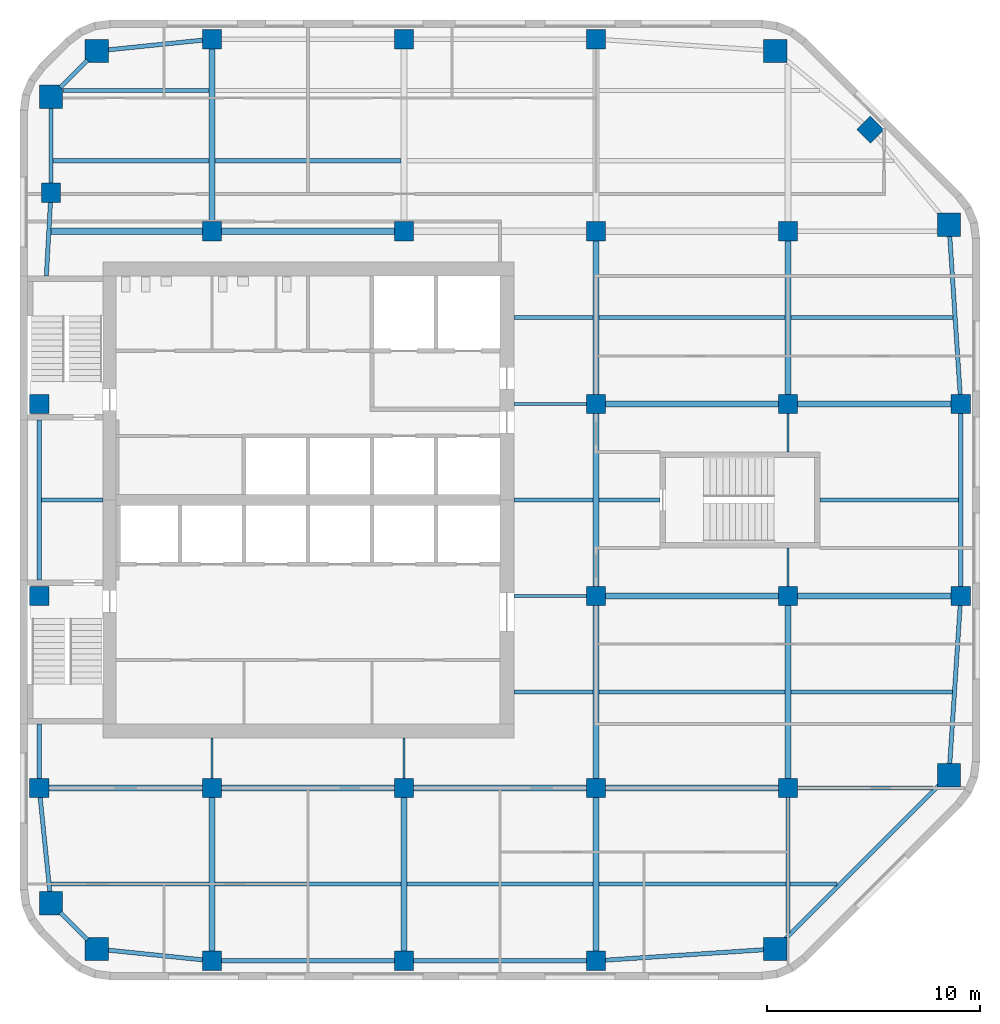
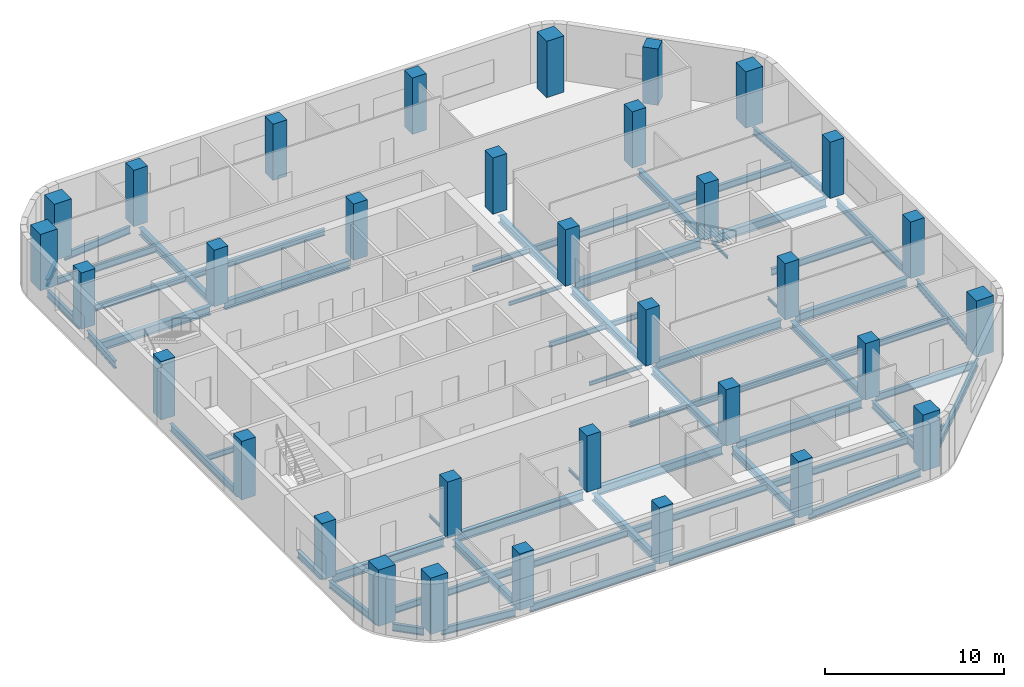
# One storey, part 1 of 8: 61 beams, 33 columns.
"""IFC4 building model written with IfcOpenShell, lengths in metres."""

from ifc_helpers import new_model, si_unit, direction, frame, origin, origin_2d, place, context, subcontext, project, spatial, rectangle, i_section, extrude, material, material_profile, profile_set, type_object, element, save


model = new_model("IFC4")

# Units and contexts
model_context = context("Model", 3, precision=1e-05, world=origin(), true_north=direction((0.0, 1.0)))
body_context = subcontext(model_context, "Body", "Model", "MODEL_VIEW")
ifc_project = project(units=[si_unit("LENGTHUNIT", "METRE"), si_unit("AREAUNIT", "SQUARE_METRE"), si_unit("VOLUMEUNIT", "CUBIC_METRE"), si_unit("PLANEANGLEUNIT", "RADIAN"), si_unit("MASSUNIT", "GRAM", prefix="KILO")], contexts=[model_context])

# Site, building, storey
site_placement = place(None, origin())
site = spatial("IfcSite", under=ifc_project, at=site_placement, CompositionType="ELEMENT")
building_placement = place(site_placement, origin())
building = spatial("IfcBuilding", under=site, at=building_placement, Name="Cinnabar Reach Civic Tower", CompositionType="ELEMENT")
storey_placement = place(building_placement, frame((0.0, 0.0, 157.0)))
storey = spatial("IfcBuildingStorey", under=building, at=storey_placement, Name="L37", CompositionType="ELEMENT", Elevation=157.0)

# Columns
ifc_material_1 = material(Name="Concrete C80", Category="concrete")
ifc_material_profile_1 = material_profile(ifc_material_1, rectangle(XDim=1.1, YDim=1.1, at=origin_2d()), Name="RC1100")
ifc_profile_set_1 = profile_set([ifc_material_profile_1], Name="Concrete C80")
column_type_1 = type_object("IfcColumnType", Name="RC1100 column R 240", PredefinedType="COLUMN", material=ifc_profile_set_1)
for number, where, z_axis, x_axis, name in (
    (1, (3.6019, 10.4531, 0.0), (0.0, 0.0, 1.0), (1.0, 0.0, 0.0), "Column T1-Z3-CC0"),
    (2, (35.3981, 10.4531, 0.0), (0.0, 0.0, 1.0), (1.0, 0.0, 0.0), "Column T1-Z3-CC1"),
    (3, (43.5469, 18.6019, 0.0), (0.0, 0.0, 1.0), (1.0, 0.0, 0.0), "Column T1-Z3-CC2"),
    (4, (43.5469, 44.3981, 0.0), (0.0, 0.0, 1.0), (1.0, 0.0, 0.0), "Column T1-Z3-CC3"),
    (5, (35.3981, 52.5469, 0.0), (0.0, 0.0, 1.0), (1.0, 0.0, 0.0), "Column T1-Z3-CC4"),
    (6, (3.6019, 52.5469, 0.0), (0.0, 0.0, 1.0), (1.0, 0.0, 0.0), "Column T1-Z3-CC5"),
    (7, (1.4531, 50.3981, 0.0), (0.0, 0.0, 1.0), (1.0, 0.0, 0.0), "Column T1-Z3-CC6"),
    (8, (1.4531, 12.6019, 0.0), (0.0, 0.0, 1.0), (1.0, 0.0, 0.0), "Column T1-Z3-CC7"),
):
    element("IfcColumn", number, at=place(storey_placement, frame(where, z_axis=z_axis, x_axis=x_axis)), inside=storey, type_object=column_type_1, Name=name, PredefinedType="COLUMN", context=body_context, shape_type="SweptSolid", body=[
        extrude(rectangle(XDim=1.1, YDim=1.1, at=origin_2d()), origin(), (0.0, 0.0, 1.0), 3.85),
    ])
ifc_material_2 = material(Name="Concrete C70", Category="concrete")
ifc_material_profile_2 = material_profile(ifc_material_2, rectangle(XDim=0.9, YDim=0.9, at=origin_2d()), Name="RC900")
ifc_profile_set_2 = profile_set([ifc_material_profile_2], Name="Concrete C70")
column_type_2 = type_object("IfcColumnType", Name="RC900 column R 240", PredefinedType="COLUMN", material=ifc_profile_set_2)
for number, where, z_axis, x_axis, name in (
    (9, (9.0, 9.9, 0.0), (0.0, 0.0, 1.0), (1.0, 0.0, 0.0), "Column T1-Z3-F0-1"),
    (10, (18.0, 9.9, 0.0), (0.0, 0.0, 1.0), (1.0, 0.0, 0.0), "Column T1-Z3-F0-2"),
    (11, (27.0, 9.9, 0.0), (0.0, 0.0, 1.0), (1.0, 0.0, 0.0), "Column T1-Z3-F0-3"),
    (12, (44.1, 27.0, 0.0), (0.0, 0.0, 1.0), (1.0, 0.0, 0.0), "Column T1-Z3-F2-3"),
    (13, (44.1, 36.0, 0.0), (0.0, 0.0, 1.0), (1.0, 0.0, 0.0), "Column T1-Z3-F2-4"),
    (14, (39.8636, 48.8636, 0.0), (0.0, 0.0, 1.0), (0.707106781187, 0.707106781187, 0.0), "Column T1-Z3-F3-M"),
    (15, (9.0, 53.1, 0.0), (0.0, 0.0, 1.0), (1.0, 0.0, 0.0), "Column T1-Z3-F4-1"),
    (16, (18.0, 53.1, 0.0), (0.0, 0.0, 1.0), (1.0, 0.0, 0.0), "Column T1-Z3-F4-2"),
    (17, (27.0, 53.1, 0.0), (0.0, 0.0, 1.0), (1.0, 0.0, 0.0), "Column T1-Z3-F4-3"),
    (18, (0.9, 18.0, 0.0), (0.0, 0.0, 1.0), (1.0, 0.0, 0.0), "Column T1-Z3-F6-2"),
):
    element("IfcColumn", number, at=place(storey_placement, frame(where, z_axis=z_axis, x_axis=x_axis)), inside=storey, type_object=column_type_2, Name=name, PredefinedType="COLUMN", context=body_context, shape_type="SweptSolid", body=[
        extrude(rectangle(XDim=0.9, YDim=0.9, at=origin_2d()), origin(), (0.0, 0.0, 1.0), 3.85),
    ])
for number, where, z_axis, x_axis, name in (
    (19, (0.9, 27.0, 0.0), (0.0, 0.0, 1.0), (1.0, 0.0, 0.0), "Column T1-Z3-F6-3"),
    (20, (0.9, 36.0, 0.0), (0.0, 0.0, 1.0), (1.0, 0.0, 0.0), "Column T1-Z3-F6-4"),
):
    element("IfcColumn", number, at=place(storey_placement, frame(where, z_axis=z_axis, x_axis=x_axis)), inside=storey, type_object=column_type_2, Name=name, PredefinedType="COLUMN", context=body_context, shape_type="SweptSolid", body=[
        extrude(rectangle(XDim=0.9, YDim=0.9, at=origin_2d()), origin(), (0.0, 0.0, 1.0), 4.0),
    ])
for number, where, z_axis, x_axis, name in (
    (21, (1.4531, 45.8981, 0.0), (0.0, 0.0, 1.0), (1.0, 0.0, 0.0), "Column T1-Z3-F6-5"),
    (22, (9.0, 18.0, 0.0), (0.0, 0.0, 1.0), (1.0, 0.0, 0.0), "Column T1-Z3-I9_18"),
    (23, (9.0, 44.1, 0.0), (0.0, 0.0, 1.0), (1.0, 0.0, 0.0), "Column T1-Z3-I9_45"),
    (24, (18.0, 18.0, 0.0), (0.0, 0.0, 1.0), (1.0, 0.0, 0.0), "Column T1-Z3-I18_18"),
    (25, (18.0, 44.1, 0.0), (0.0, 0.0, 1.0), (1.0, 0.0, 0.0), "Column T1-Z3-I18_45"),
    (26, (27.0, 18.0, 0.0), (0.0, 0.0, 1.0), (1.0, 0.0, 0.0), "Column T1-Z3-I27_18"),
    (27, (27.0, 27.0, 0.0), (0.0, 0.0, 1.0), (1.0, 0.0, 0.0), "Column T1-Z3-I27_27"),
    (28, (27.0, 36.0, 0.0), (0.0, 0.0, 1.0), (1.0, 0.0, 0.0), "Column T1-Z3-I27_36"),
    (29, (27.0, 44.1, 0.0), (0.0, 0.0, 1.0), (1.0, 0.0, 0.0), "Column T1-Z3-I27_45"),
    (30, (36.0, 18.0, 0.0), (0.0, 0.0, 1.0), (1.0, 0.0, 0.0), "Column T1-Z3-I36_18"),
    (31, (36.0, 27.0, 0.0), (0.0, 0.0, 1.0), (1.0, 0.0, 0.0), "Column T1-Z3-I36_27"),
    (32, (36.0, 36.0, 0.0), (0.0, 0.0, 1.0), (1.0, 0.0, 0.0), "Column T1-Z3-I36_36"),
    (33, (36.0, 44.1, 0.0), (0.0, 0.0, 1.0), (1.0, 0.0, 0.0), "Column T1-Z3-I36_45"),
):
    element("IfcColumn", number, at=place(storey_placement, frame(where, z_axis=z_axis, x_axis=x_axis)), inside=storey, type_object=column_type_2, Name=name, PredefinedType="COLUMN", context=body_context, shape_type="SweptSolid", body=[
        extrude(rectangle(XDim=0.9, YDim=0.9, at=origin_2d()), origin(), (0.0, 0.0, 1.0), 3.85),
    ])

# Beams
ifc_material_3 = material(Name="Steel Q355B", Category="steel")
ifc_material_profile_3 = material_profile(ifc_material_3, i_section(OverallWidth=0.3, OverallDepth=0.488, WebThickness=0.011, FlangeThickness=0.018, FilletRadius=0.016, at=origin_2d()), Name="HM488x300x11x18")
ifc_profile_set_3 = profile_set([ifc_material_profile_3], Name="Steel Q355B")
beam_type_1 = type_object("IfcBeamType", Name="HM488x300x11x18 beam R 180", PredefinedType="BEAM", material=ifc_profile_set_3)
beam_1_placement = place(storey_placement, frame((9.0, 10.352, -0.394), z_axis=(0.0, 1.0, 0.0), x_axis=(-1.0, 0.0, 0.0)))
element("IfcBeam", 34, at=beam_1_placement, inside=storey, type_object=beam_type_1, Name="Girder T1 L37 1", PredefinedType="BEAM", context=body_context, shape_type="SweptSolid", body=[
    extrude(i_section(OverallWidth=0.3, OverallDepth=0.488, WebThickness=0.011, FlangeThickness=0.018, FilletRadius=0.016, at=origin_2d()), origin(), (0.0, 0.0, 1.0), 7.196),
])
beam_2_placement = place(storey_placement, frame((9.0, 44.552, -0.394), z_axis=(0.0, 1.0, 0.0), x_axis=(-1.0, 0.0, 0.0)))
element("IfcBeam", 35, at=beam_2_placement, inside=storey, type_object=beam_type_1, Name="Girder T1 L37 3", PredefinedType="BEAM", context=body_context, shape_type="SweptSolid", body=[
    extrude(i_section(OverallWidth=0.3, OverallDepth=0.488, WebThickness=0.011, FlangeThickness=0.018, FilletRadius=0.016, at=origin_2d()), origin(), (0.0, 0.0, 1.0), 8.096),
])
for number, where, z_axis, x_axis, name in (
    (36, (18.0, 10.352, -0.394), (0.0, 1.0, 0.0), (-1.0, 0.0, 0.0), "Girder T1 L37 4"),
    (37, (27.0, 10.352, -0.394), (0.0, 1.0, 0.0), (-1.0, 0.0, 0.0), "Girder T1 L37 7"),
):
    element("IfcBeam", number, at=place(storey_placement, frame(where, z_axis=z_axis, x_axis=x_axis)), inside=storey, type_object=beam_type_1, Name=name, PredefinedType="BEAM", context=body_context, shape_type="SweptSolid", body=[
        extrude(i_section(OverallWidth=0.3, OverallDepth=0.488, WebThickness=0.011, FlangeThickness=0.018, FilletRadius=0.016, at=origin_2d()), origin(), (0.0, 0.0, 1.0), 7.196),
    ])
for number, where, z_axis, x_axis, name in (
    (38, (27.0, 18.452, -0.394), (0.0, 1.0, 0.0), (-1.0, 0.0, 0.0), "Girder T1 L37 8"),
    (39, (27.0, 27.452, -0.394), (0.0, 1.0, 0.0), (-1.0, 0.0, 0.0), "Girder T1 L37 9"),
):
    element("IfcBeam", number, at=place(storey_placement, frame(where, z_axis=z_axis, x_axis=x_axis)), inside=storey, type_object=beam_type_1, Name=name, PredefinedType="BEAM", context=body_context, shape_type="SweptSolid", body=[
        extrude(i_section(OverallWidth=0.3, OverallDepth=0.488, WebThickness=0.011, FlangeThickness=0.018, FilletRadius=0.016, at=origin_2d()), origin(), (0.0, 0.0, 1.0), 8.096),
    ])
beam_3_placement = place(storey_placement, frame((27.0, 36.452, -0.394), z_axis=(0.0, 1.0, 0.0), x_axis=(-1.0, 0.0, 0.0)))
element("IfcBeam", 40, at=beam_3_placement, inside=storey, type_object=beam_type_1, Name="Girder T1 L37 10", PredefinedType="BEAM", context=body_context, shape_type="SweptSolid", body=[
    extrude(i_section(OverallWidth=0.3, OverallDepth=0.488, WebThickness=0.011, FlangeThickness=0.018, FilletRadius=0.016, at=origin_2d()), origin(), (0.0, 0.0, 1.0), 7.196),
])
beam_4_placement = place(storey_placement, frame((36.0, 18.452, -0.394), z_axis=(0.0, 1.0, 0.0), x_axis=(-1.0, 0.0, 0.0)))
element("IfcBeam", 41, at=beam_4_placement, inside=storey, type_object=beam_type_1, Name="Girder T1 L37 13", PredefinedType="BEAM", context=body_context, shape_type="SweptSolid", body=[
    extrude(i_section(OverallWidth=0.3, OverallDepth=0.488, WebThickness=0.011, FlangeThickness=0.018, FilletRadius=0.016, at=origin_2d()), origin(), (0.0, 0.0, 1.0), 8.096),
])
beam_5_placement = place(storey_placement, frame((36.0, 36.452, -0.394), z_axis=(0.0, 1.0, 0.0), x_axis=(-1.0, 0.0, 0.0)))
element("IfcBeam", 42, at=beam_5_placement, inside=storey, type_object=beam_type_1, Name="Girder T1 L37 16", PredefinedType="BEAM", context=body_context, shape_type="SweptSolid", body=[
    extrude(i_section(OverallWidth=0.3, OverallDepth=0.488, WebThickness=0.011, FlangeThickness=0.018, FilletRadius=0.016, at=origin_2d()), origin(), (0.0, 0.0, 1.0), 7.196),
])
ifc_material_profile_4 = material_profile(ifc_material_3, i_section(OverallWidth=0.3, OverallDepth=0.588, WebThickness=0.012, FlangeThickness=0.02, FilletRadius=0.016, at=origin_2d()), Name="HM588x300x12x20")
ifc_profile_set_4 = profile_set([ifc_material_profile_4], Name="Steel Q355B")
beam_type_2 = type_object("IfcBeamType", Name="HM588x300x12x20 beam R 180", PredefinedType="BEAM", material=ifc_profile_set_4)
beam_6_placement = place(storey_placement, frame((1.352, 18.0, -0.444), z_axis=(1.0, 0.0, 0.0), x_axis=(0.0, 1.0, 0.0)))
element("IfcBeam", 43, at=beam_6_placement, inside=storey, type_object=beam_type_2, Name="Girder T1 L37 1", PredefinedType="BEAM", context=body_context, shape_type="SweptSolid", body=[
    extrude(i_section(OverallWidth=0.3, OverallDepth=0.588, WebThickness=0.012, FlangeThickness=0.02, FilletRadius=0.016, at=origin_2d()), origin(), (0.0, 0.0, 1.0), 7.196),
])
for number, where, z_axis, x_axis, name in (
    (44, (9.452, 18.0, -0.444), (1.0, 0.0, 0.0), (0.0, 1.0, 0.0), "Girder T1 L37 2"),
    (45, (18.452, 18.0, -0.444), (1.0, 0.0, 0.0), (0.0, 1.0, 0.0), "Girder T1 L37 3"),
    (46, (27.452, 18.0, -0.444), (1.0, 0.0, 0.0), (0.0, 1.0, 0.0), "Girder T1 L37 4"),
    (47, (27.452, 27.0, -0.444), (1.0, 0.0, 0.0), (0.0, 1.0, 0.0), "Girder T1 L37 7"),
):
    element("IfcBeam", number, at=place(storey_placement, frame(where, z_axis=z_axis, x_axis=x_axis)), inside=storey, type_object=beam_type_2, Name=name, PredefinedType="BEAM", context=body_context, shape_type="SweptSolid", body=[
        extrude(i_section(OverallWidth=0.3, OverallDepth=0.588, WebThickness=0.012, FlangeThickness=0.02, FilletRadius=0.016, at=origin_2d()), origin(), (0.0, 0.0, 1.0), 8.096),
    ])
beam_7_placement = place(storey_placement, frame((36.452, 27.0, -0.444), z_axis=(1.0, 0.0, 0.0), x_axis=(0.0, 1.0, 0.0)))
element("IfcBeam", 48, at=beam_7_placement, inside=storey, type_object=beam_type_2, Name="Girder T1 L37 8", PredefinedType="BEAM", context=body_context, shape_type="SweptSolid", body=[
    extrude(i_section(OverallWidth=0.3, OverallDepth=0.588, WebThickness=0.012, FlangeThickness=0.02, FilletRadius=0.016, at=origin_2d()), origin(), (0.0, 0.0, 1.0), 7.196),
])
beam_8_placement = place(storey_placement, frame((27.452, 36.0, -0.444), z_axis=(1.0, 0.0, 0.0), x_axis=(0.0, 1.0, 0.0)))
element("IfcBeam", 49, at=beam_8_placement, inside=storey, type_object=beam_type_2, Name="Girder T1 L37 10", PredefinedType="BEAM", context=body_context, shape_type="SweptSolid", body=[
    extrude(i_section(OverallWidth=0.3, OverallDepth=0.588, WebThickness=0.012, FlangeThickness=0.02, FilletRadius=0.016, at=origin_2d()), origin(), (0.0, 0.0, 1.0), 8.096),
])
beam_9_placement = place(storey_placement, frame((36.452, 36.0, -0.444), z_axis=(1.0, 0.0, 0.0), x_axis=(0.0, 1.0, 0.0)))
element("IfcBeam", 50, at=beam_9_placement, inside=storey, type_object=beam_type_2, Name="Girder T1 L37 11", PredefinedType="BEAM", context=body_context, shape_type="SweptSolid", body=[
    extrude(i_section(OverallWidth=0.3, OverallDepth=0.588, WebThickness=0.012, FlangeThickness=0.02, FilletRadius=0.016, at=origin_2d()), origin(), (0.0, 0.0, 1.0), 7.196),
])
beam_10_placement = place(storey_placement, frame((1.4548, 44.1, -0.444), z_axis=(1.0, 0.0, 0.0), x_axis=(0.0, 1.0, 0.0)))
element("IfcBeam", 51, at=beam_10_placement, inside=storey, type_object=beam_type_2, Name="Girder T1 L37 12", PredefinedType="BEAM", context=body_context, shape_type="SweptSolid", body=[
    extrude(i_section(OverallWidth=0.3, OverallDepth=0.588, WebThickness=0.012, FlangeThickness=0.02, FilletRadius=0.016, at=origin_2d()), origin(), (0.0, 0.0, 1.0), 7.0932),
])
beam_11_placement = place(storey_placement, frame((9.452, 44.1, -0.444), z_axis=(1.0, 0.0, 0.0), x_axis=(0.0, 1.0, 0.0)))
element("IfcBeam", 52, at=beam_11_placement, inside=storey, type_object=beam_type_2, Name="Girder T1 L37 13", PredefinedType="BEAM", context=body_context, shape_type="SweptSolid", body=[
    extrude(i_section(OverallWidth=0.3, OverallDepth=0.588, WebThickness=0.012, FlangeThickness=0.02, FilletRadius=0.016, at=origin_2d()), origin(), (0.0, 0.0, 1.0), 8.096),
])
ifc_material_profile_5 = material_profile(ifc_material_3, i_section(OverallWidth=0.099, OverallDepth=0.198, WebThickness=0.0045, FlangeThickness=0.007, FilletRadius=0.013, at=origin_2d()), Name="HN200x100x5.5x8")
ifc_profile_set_5 = profile_set([ifc_material_profile_5], Name="Steel Q355B")
beam_type_3 = type_object("IfcBeamType", Name="HN200x100x5.5x8 beam R 180", PredefinedType="BEAM", material=ifc_profile_set_5)
for number, where, z_axis, x_axis, name in (
    (53, (9.0, 18.452, -0.249), (0.0, 1.0, 0.0), (-1.0, 0.0, 0.0), "Girder T1 L37 2"),
    (54, (18.0, 18.452, -0.249), (0.0, 1.0, 0.0), (-1.0, 0.0, 0.0), "Girder T1 L37 5"),
):
    element("IfcBeam", number, at=place(storey_placement, frame(where, z_axis=z_axis, x_axis=x_axis)), inside=storey, type_object=beam_type_3, Name=name, PredefinedType="BEAM", context=body_context, shape_type="SweptSolid", body=[
        extrude(i_section(OverallWidth=0.099, OverallDepth=0.198, WebThickness=0.0045, FlangeThickness=0.007, FilletRadius=0.013, at=origin_2d()), origin(), (0.0, 0.0, 1.0), 1.896),
    ])
for number, where, z_axis, x_axis, name in (
    (55, (36.0, 27.452, -0.249), (0.0, 1.0, 0.0), (-1.0, 0.0, 0.0), "Girder T1 L37 14"),
    (56, (36.0, 33.752, -0.249), (0.0, 1.0, 0.0), (-1.0, 0.0, 0.0), "Girder T1 L37 15"),
):
    element("IfcBeam", number, at=place(storey_placement, frame(where, z_axis=z_axis, x_axis=x_axis)), inside=storey, type_object=beam_type_3, Name=name, PredefinedType="BEAM", context=body_context, shape_type="SweptSolid", body=[
        extrude(i_section(OverallWidth=0.099, OverallDepth=0.198, WebThickness=0.0045, FlangeThickness=0.007, FilletRadius=0.013, at=origin_2d()), origin(), (0.0, 0.0, 1.0), 1.796),
    ])
ifc_material_profile_6 = material_profile(ifc_material_3, i_section(OverallWidth=0.124, OverallDepth=0.248, WebThickness=0.005, FlangeThickness=0.008, FilletRadius=0.013, at=origin_2d()), Name="HN250x125x6x9")
ifc_profile_set_6 = profile_set([ifc_material_profile_6], Name="Steel Q355B")
beam_type_4 = type_object("IfcBeamType", Name="HN250x125x6x9 beam R 180", PredefinedType="BEAM", material=ifc_profile_set_6)
for number, where, z_axis, x_axis, name in (
    (57, (23.152, 27.0, -0.274), (1.0, 0.0, 0.0), (0.0, 1.0, 0.0), "Girder T1 L37 6"),
    (58, (23.152, 36.0, -0.274), (1.0, 0.0, 0.0), (0.0, 1.0, 0.0), "Girder T1 L37 9"),
):
    element("IfcBeam", number, at=place(storey_placement, frame(where, z_axis=z_axis, x_axis=x_axis)), inside=storey, type_object=beam_type_4, Name=name, PredefinedType="BEAM", context=body_context, shape_type="SweptSolid", body=[
        extrude(i_section(OverallWidth=0.124, OverallDepth=0.248, WebThickness=0.005, FlangeThickness=0.008, FilletRadius=0.013, at=origin_2d()), origin(), (0.0, 0.0, 1.0), 3.396),
    ])
ifc_material_profile_7 = material_profile(ifc_material_3, i_section(OverallWidth=0.175, OverallDepth=0.35, WebThickness=0.007, FlangeThickness=0.011, FilletRadius=0.013, at=origin_2d()), Name="HN350x175x7x11")
ifc_profile_set_7 = profile_set([ifc_material_profile_7], Name="Steel Q355B")
beam_type_5 = type_object("IfcBeamType", Name="HN350x175x7x11 beam R 180", PredefinedType="BEAM", material=ifc_profile_set_7)
beam_12_placement = place(storey_placement, frame((36.102, 13.5, -0.325), z_axis=(1.0, 0.0, 0.0), x_axis=(0.0, 1.0, 0.0)))
element("IfcBeam", 59, at=beam_12_placement, inside=storey, type_object=beam_type_5, Name="Secondary beam T1 L37 5", PredefinedType="BEAM", context=body_context, shape_type="SweptSolid", body=[
    extrude(i_section(OverallWidth=0.175, OverallDepth=0.35, WebThickness=0.007, FlangeThickness=0.011, FilletRadius=0.013, at=origin_2d()), origin(), (0.0, 0.0, 1.0), 2.1988),
])
beam_13_placement = place(storey_placement, frame((23.152, 22.5, -0.325), z_axis=(1.0, 0.0, 0.0), x_axis=(0.0, 1.0, 0.0)))
element("IfcBeam", 60, at=beam_13_placement, inside=storey, type_object=beam_type_5, Name="Secondary beam T1 L37 6", PredefinedType="BEAM", context=body_context, shape_type="SweptSolid", body=[
    extrude(i_section(OverallWidth=0.175, OverallDepth=0.35, WebThickness=0.007, FlangeThickness=0.011, FilletRadius=0.013, at=origin_2d()), origin(), (0.0, 0.0, 1.0), 3.696),
])
beam_14_placement = place(storey_placement, frame((1.002, 31.5, -0.325), z_axis=(1.0, 0.0, 0.0), x_axis=(0.0, 1.0, 0.0)))
element("IfcBeam", 61, at=beam_14_placement, inside=storey, type_object=beam_type_5, Name="Secondary beam T1 L37 9", PredefinedType="BEAM", context=body_context, shape_type="SweptSolid", body=[
    extrude(i_section(OverallWidth=0.175, OverallDepth=0.35, WebThickness=0.007, FlangeThickness=0.011, FilletRadius=0.013, at=origin_2d()), origin(), (0.0, 0.0, 1.0), 2.896),
])
beam_15_placement = place(storey_placement, frame((23.152, 31.5, -0.325), z_axis=(1.0, 0.0, 0.0), x_axis=(0.0, 1.0, 0.0)))
element("IfcBeam", 62, at=beam_15_placement, inside=storey, type_object=beam_type_5, Name="Secondary beam T1 L37 10", PredefinedType="BEAM", context=body_context, shape_type="SweptSolid", body=[
    extrude(i_section(OverallWidth=0.175, OverallDepth=0.35, WebThickness=0.007, FlangeThickness=0.011, FilletRadius=0.013, at=origin_2d()), origin(), (0.0, 0.0, 1.0), 3.696),
])
beam_16_placement = place(storey_placement, frame((27.152, 31.5, -0.325), z_axis=(1.0, 0.0, 0.0), x_axis=(0.0, 1.0, 0.0)))
element("IfcBeam", 63, at=beam_16_placement, inside=storey, type_object=beam_type_5, Name="Secondary beam T1 L37 11", PredefinedType="BEAM", context=body_context, shape_type="SweptSolid", body=[
    extrude(i_section(OverallWidth=0.175, OverallDepth=0.35, WebThickness=0.007, FlangeThickness=0.011, FilletRadius=0.013, at=origin_2d()), origin(), (0.0, 0.0, 1.0), 2.846),
])
beam_17_placement = place(storey_placement, frame((23.152, 40.05, -0.325), z_axis=(1.0, 0.0, 0.0), x_axis=(0.0, 1.0, 0.0)))
element("IfcBeam", 64, at=beam_17_placement, inside=storey, type_object=beam_type_5, Name="Secondary beam T1 L37 13", PredefinedType="BEAM", context=body_context, shape_type="SweptSolid", body=[
    extrude(i_section(OverallWidth=0.175, OverallDepth=0.35, WebThickness=0.007, FlangeThickness=0.011, FilletRadius=0.013, at=origin_2d()), origin(), (0.0, 0.0, 1.0), 3.696),
])
ifc_material_profile_8 = material_profile(ifc_material_3, i_section(OverallWidth=0.2, OverallDepth=0.45, WebThickness=0.009, FlangeThickness=0.014, FilletRadius=0.016, at=origin_2d()), Name="HN450x200x9x14")
ifc_profile_set_8 = profile_set([ifc_material_profile_8], Name="Steel Q355B")
beam_type_6 = type_object("IfcBeamType", Name="HN450x200x9x14 beam R 180", PredefinedType="BEAM", material=ifc_profile_set_8)
beam_18_placement = place(storey_placement, frame((1.4636, 13.5, -0.375), z_axis=(1.0, 0.0, 0.0), x_axis=(0.0, 1.0, 0.0)))
element("IfcBeam", 65, at=beam_18_placement, inside=storey, type_object=beam_type_6, Name="Secondary beam T1 L37 1", PredefinedType="BEAM", context=body_context, shape_type="SweptSolid", body=[
    extrude(i_section(OverallWidth=0.2, OverallDepth=0.45, WebThickness=0.009, FlangeThickness=0.014, FilletRadius=0.016, at=origin_2d()), origin(), (0.0, 0.0, 1.0), 7.3844),
])
for number, where, z_axis, x_axis, name in (
    (66, (9.152, 13.5, -0.375), (1.0, 0.0, 0.0), (0.0, 1.0, 0.0), "Secondary beam T1 L37 2"),
    (67, (18.152, 13.5, -0.375), (1.0, 0.0, 0.0), (0.0, 1.0, 0.0), "Secondary beam T1 L37 3"),
):
    element("IfcBeam", number, at=place(storey_placement, frame(where, z_axis=z_axis, x_axis=x_axis)), inside=storey, type_object=beam_type_6, Name=name, PredefinedType="BEAM", context=body_context, shape_type="SweptSolid", body=[
        extrude(i_section(OverallWidth=0.2, OverallDepth=0.45, WebThickness=0.009, FlangeThickness=0.014, FilletRadius=0.016, at=origin_2d()), origin(), (0.0, 0.0, 1.0), 8.696),
    ])
beam_19_placement = place(storey_placement, frame((27.152, 13.5, -0.375), z_axis=(1.0, 0.0, 0.0), x_axis=(0.0, 1.0, 0.0)))
element("IfcBeam", 68, at=beam_19_placement, inside=storey, type_object=beam_type_6, Name="Secondary beam T1 L37 4", PredefinedType="BEAM", context=body_context, shape_type="SweptSolid", body=[
    extrude(i_section(OverallWidth=0.2, OverallDepth=0.45, WebThickness=0.009, FlangeThickness=0.014, FilletRadius=0.016, at=origin_2d()), origin(), (0.0, 0.0, 1.0), 8.746),
])
beam_20_placement = place(storey_placement, frame((27.152, 22.5, -0.375), z_axis=(1.0, 0.0, 0.0), x_axis=(0.0, 1.0, 0.0)))
element("IfcBeam", 69, at=beam_20_placement, inside=storey, type_object=beam_type_6, Name="Secondary beam T1 L37 7", PredefinedType="BEAM", context=body_context, shape_type="SweptSolid", body=[
    extrude(i_section(OverallWidth=0.2, OverallDepth=0.45, WebThickness=0.009, FlangeThickness=0.014, FilletRadius=0.016, at=origin_2d()), origin(), (0.0, 0.0, 1.0), 8.696),
])
beam_21_placement = place(storey_placement, frame((36.152, 22.5, -0.375), z_axis=(1.0, 0.0, 0.0), x_axis=(0.0, 1.0, 0.0)))
element("IfcBeam", 70, at=beam_21_placement, inside=storey, type_object=beam_type_6, Name="Secondary beam T1 L37 8", PredefinedType="BEAM", context=body_context, shape_type="SweptSolid", body=[
    extrude(i_section(OverallWidth=0.2, OverallDepth=0.45, WebThickness=0.009, FlangeThickness=0.014, FilletRadius=0.016, at=origin_2d()), origin(), (0.0, 0.0, 1.0), 7.5494),
])
beam_22_placement = place(storey_placement, frame((37.502, 31.5, -0.375), z_axis=(1.0, 0.0, 0.0), x_axis=(0.0, 1.0, 0.0)))
element("IfcBeam", 71, at=beam_22_placement, inside=storey, type_object=beam_type_6, Name="Secondary beam T1 L37 12", PredefinedType="BEAM", context=body_context, shape_type="SweptSolid", body=[
    extrude(i_section(OverallWidth=0.2, OverallDepth=0.45, WebThickness=0.009, FlangeThickness=0.014, FilletRadius=0.016, at=origin_2d()), origin(), (0.0, 0.0, 1.0), 6.496),
])
beam_23_placement = place(storey_placement, frame((27.152, 40.05, -0.375), z_axis=(1.0, 0.0, 0.0), x_axis=(0.0, 1.0, 0.0)))
element("IfcBeam", 72, at=beam_23_placement, inside=storey, type_object=beam_type_6, Name="Secondary beam T1 L37 14", PredefinedType="BEAM", context=body_context, shape_type="SweptSolid", body=[
    extrude(i_section(OverallWidth=0.2, OverallDepth=0.45, WebThickness=0.009, FlangeThickness=0.014, FilletRadius=0.016, at=origin_2d()), origin(), (0.0, 0.0, 1.0), 8.696),
])
beam_24_placement = place(storey_placement, frame((36.152, 40.05, -0.375), z_axis=(1.0, 0.0, 0.0), x_axis=(0.0, 1.0, 0.0)))
element("IfcBeam", 73, at=beam_24_placement, inside=storey, type_object=beam_type_6, Name="Secondary beam T1 L37 15", PredefinedType="BEAM", context=body_context, shape_type="SweptSolid", body=[
    extrude(i_section(OverallWidth=0.2, OverallDepth=0.45, WebThickness=0.009, FlangeThickness=0.014, FilletRadius=0.016, at=origin_2d()), origin(), (0.0, 0.0, 1.0), 7.579),
])
beam_25_placement = place(storey_placement, frame((1.5551, 47.4, -0.375), z_axis=(1.0, 0.0, 0.0), x_axis=(0.0, 1.0, 0.0)))
element("IfcBeam", 74, at=beam_25_placement, inside=storey, type_object=beam_type_6, Name="Secondary beam T1 L37 16", PredefinedType="BEAM", context=body_context, shape_type="SweptSolid", body=[
    extrude(i_section(OverallWidth=0.2, OverallDepth=0.45, WebThickness=0.009, FlangeThickness=0.014, FilletRadius=0.016, at=origin_2d()), origin(), (0.0, 0.0, 1.0), 7.2929),
])
beam_26_placement = place(storey_placement, frame((9.152, 47.4, -0.375), z_axis=(1.0, 0.0, 0.0), x_axis=(0.0, 1.0, 0.0)))
element("IfcBeam", 75, at=beam_26_placement, inside=storey, type_object=beam_type_6, Name="Secondary beam T1 L37 17", PredefinedType="BEAM", context=body_context, shape_type="SweptSolid", body=[
    extrude(i_section(OverallWidth=0.2, OverallDepth=0.45, WebThickness=0.009, FlangeThickness=0.014, FilletRadius=0.016, at=origin_2d()), origin(), (0.0, 0.0, 1.0), 8.696),
])
beam_27_placement = place(storey_placement, frame((2.0051, 50.7, -0.375), z_axis=(1.0, 0.0, 0.0), x_axis=(0.0, 1.0, 0.0)))
element("IfcBeam", 76, at=beam_27_placement, inside=storey, type_object=beam_type_6, Name="Secondary beam T1 L37 21", PredefinedType="BEAM", context=body_context, shape_type="SweptSolid", body=[
    extrude(i_section(OverallWidth=0.2, OverallDepth=0.45, WebThickness=0.009, FlangeThickness=0.014, FilletRadius=0.016, at=origin_2d()), origin(), (0.0, 0.0, 1.0), 6.8429),
])
ifc_material_profile_9 = material_profile(ifc_material_3, i_section(OverallWidth=0.2, OverallDepth=0.5, WebThickness=0.01, FlangeThickness=0.016, FilletRadius=0.016, at=origin_2d()), Name="HN500x200x10x16")
ifc_profile_set_9 = profile_set([ifc_material_profile_9], Name="Steel Q355B")
beam_type_7 = type_object("IfcBeamType", Name="HN500x200x10x16 beam R 180", PredefinedType="BEAM", material=ifc_profile_set_9)
beam_28_placement = place(storey_placement, frame((4.0339, 10.4088, -0.4), z_axis=(0.994792272495, -0.101923179821, 0.0), x_axis=(0.101923179821, 0.994792272495, 0.0)))
element("IfcBeam", 77, at=beam_28_placement, inside=storey, type_object=beam_type_7, Name="Edge beam T1 L37 1", PredefinedType="BEAM", context=body_context, shape_type="SweptSolid", body=[
    extrude(i_section(OverallWidth=0.2, OverallDepth=0.5, WebThickness=0.01, FlangeThickness=0.016, FilletRadius=0.016, at=origin_2d()), origin(), (0.0, 0.0, 1.0), 4.5377),
])
for number, where, z_axis, x_axis, name in (
    (78, (9.452, 9.9, -0.4), (1.0, 0.0, 0.0), (0.0, 1.0, 0.0), "Edge beam T1 L37 2"),
    (79, (18.452, 9.9, -0.4), (1.0, 0.0, 0.0), (0.0, 1.0, 0.0), "Edge beam T1 L37 3"),
):
    element("IfcBeam", number, at=place(storey_placement, frame(where, z_axis=z_axis, x_axis=x_axis)), inside=storey, type_object=beam_type_7, Name=name, PredefinedType="BEAM", context=body_context, shape_type="SweptSolid", body=[
        extrude(i_section(OverallWidth=0.2, OverallDepth=0.5, WebThickness=0.01, FlangeThickness=0.016, FilletRadius=0.016, at=origin_2d()), origin(), (0.0, 0.0, 1.0), 8.096),
    ])
beam_29_placement = place(storey_placement, frame((27.452, 9.9298, -0.4), z_axis=(0.99783894477, 0.065707231721, 0.0), x_axis=(-0.065707231721, 0.99783894477, 0.0)))
element("IfcBeam", 80, at=beam_29_placement, inside=storey, type_object=beam_type_7, Name="Edge beam T1 L37 4", PredefinedType="BEAM", context=body_context, shape_type="SweptSolid", body=[
    extrude(i_section(OverallWidth=0.2, OverallDepth=0.5, WebThickness=0.01, FlangeThickness=0.016, FilletRadius=0.016, at=origin_2d()), origin(), (0.0, 0.0, 1.0), 7.5304),
])
beam_30_placement = place(storey_placement, frame((35.8301, 10.8851, -0.4), z_axis=(0.707106781187, 0.707106781187, 0.0), x_axis=(-0.707106781187, 0.707106781187, 0.0)))
element("IfcBeam", 81, at=beam_30_placement, inside=storey, type_object=beam_type_7, Name="Edge beam T1 L37 5", PredefinedType="BEAM", context=body_context, shape_type="SweptSolid", body=[
    extrude(i_section(OverallWidth=0.2, OverallDepth=0.5, WebThickness=0.01, FlangeThickness=0.016, FilletRadius=0.016, at=origin_2d()), origin(), (0.0, 0.0, 1.0), 10.3023),
])
beam_31_placement = place(storey_placement, frame((43.5754, 19.0339, -0.4), z_axis=(0.065707231721, 0.99783894477, 0.0), x_axis=(-0.99783894477, 0.065707231721, 0.0)))
element("IfcBeam", 82, at=beam_31_placement, inside=storey, type_object=beam_type_7, Name="Edge beam T1 L37 6", PredefinedType="BEAM", context=body_context, shape_type="SweptSolid", body=[
    extrude(i_section(OverallWidth=0.2, OverallDepth=0.5, WebThickness=0.01, FlangeThickness=0.016, FilletRadius=0.016, at=origin_2d()), origin(), (0.0, 0.0, 1.0), 7.5304),
])
beam_32_placement = place(storey_placement, frame((44.1, 27.452, -0.4), z_axis=(0.0, 1.0, 0.0), x_axis=(-1.0, 0.0, 0.0)))
element("IfcBeam", 83, at=beam_32_placement, inside=storey, type_object=beam_type_7, Name="Edge beam T1 L37 7", PredefinedType="BEAM", context=body_context, shape_type="SweptSolid", body=[
    extrude(i_section(OverallWidth=0.2, OverallDepth=0.5, WebThickness=0.01, FlangeThickness=0.016, FilletRadius=0.016, at=origin_2d()), origin(), (0.0, 0.0, 1.0), 8.096),
])
beam_33_placement = place(storey_placement, frame((44.0702, 36.452, -0.4), z_axis=(-0.065707231721, 0.99783894477, 0.0), x_axis=(-0.99783894477, -0.065707231721, 0.0)))
element("IfcBeam", 84, at=beam_33_placement, inside=storey, type_object=beam_type_7, Name="Edge beam T1 L37 8", PredefinedType="BEAM", context=body_context, shape_type="SweptSolid", body=[
    extrude(i_section(OverallWidth=0.2, OverallDepth=0.5, WebThickness=0.01, FlangeThickness=0.016, FilletRadius=0.016, at=origin_2d()), origin(), (0.0, 0.0, 1.0), 7.5304),
])
beam_34_placement = place(storey_placement, frame((8.548, 53.0537, -0.4), z_axis=(-0.994792272495, -0.101923179821, 0.0), x_axis=(0.101923179821, -0.994792272495, 0.0)))
element("IfcBeam", 85, at=beam_34_placement, inside=storey, type_object=beam_type_7, Name="Edge beam T1 L37 14", PredefinedType="BEAM", context=body_context, shape_type="SweptSolid", body=[
    extrude(i_section(OverallWidth=0.2, OverallDepth=0.5, WebThickness=0.01, FlangeThickness=0.016, FilletRadius=0.016, at=origin_2d()), origin(), (0.0, 0.0, 1.0), 4.5377),
])
beam_35_placement = place(storey_placement, frame((3.1699, 52.1149, -0.4), z_axis=(-0.707106781187, -0.707106781187, 0.0), x_axis=(0.707106781187, -0.707106781187, 0.0)))
element("IfcBeam", 86, at=beam_35_placement, inside=storey, type_object=beam_type_7, Name="Edge beam T1 L37 15", PredefinedType="BEAM", context=body_context, shape_type="SweptSolid", body=[
    extrude(i_section(OverallWidth=0.2, OverallDepth=0.5, WebThickness=0.01, FlangeThickness=0.016, FilletRadius=0.016, at=origin_2d()), origin(), (0.0, 0.0, 1.0), 1.817),
])
beam_36_placement = place(storey_placement, frame((1.4531, 49.9661, -0.4), z_axis=(0.0, -1.0, 0.0), x_axis=(1.0, 0.0, 0.0)))
element("IfcBeam", 87, at=beam_36_placement, inside=storey, type_object=beam_type_7, Name="Edge beam T1 L37 16", PredefinedType="BEAM", context=body_context, shape_type="SweptSolid", body=[
    extrude(i_section(OverallWidth=0.2, OverallDepth=0.5, WebThickness=0.01, FlangeThickness=0.016, FilletRadius=0.016, at=origin_2d()), origin(), (0.0, 0.0, 1.0), 3.616),
])
beam_37_placement = place(storey_placement, frame((1.4278, 45.4461, -0.4), z_axis=(-0.0557766862, -0.998443268932, 0.0), x_axis=(0.998443268932, -0.0557766862, 0.0)))
element("IfcBeam", 88, at=beam_37_placement, inside=storey, type_object=beam_type_7, Name="Edge beam T1 L37 17", PredefinedType="BEAM", context=body_context, shape_type="SweptSolid", body=[
    extrude(i_section(OverallWidth=0.2, OverallDepth=0.5, WebThickness=0.01, FlangeThickness=0.016, FilletRadius=0.016, at=origin_2d()), origin(), (0.0, 0.0, 1.0), 3.4495),
])
beam_38_placement = place(storey_placement, frame((0.9, 35.248, -0.4), z_axis=(0.0, -1.0, 0.0), x_axis=(1.0, 0.0, 0.0)))
element("IfcBeam", 89, at=beam_38_placement, inside=storey, type_object=beam_type_7, Name="Edge beam T1 L37 18", PredefinedType="BEAM", context=body_context, shape_type="SweptSolid", body=[
    extrude(i_section(OverallWidth=0.2, OverallDepth=0.5, WebThickness=0.01, FlangeThickness=0.016, FilletRadius=0.016, at=origin_2d()), origin(), (0.0, 0.0, 1.0), 7.496),
])
beam_39_placement = place(storey_placement, frame((0.9, 20.998, -0.4), z_axis=(0.0, -1.0, 0.0), x_axis=(1.0, 0.0, 0.0)))
element("IfcBeam", 90, at=beam_39_placement, inside=storey, type_object=beam_type_7, Name="Edge beam T1 L37 19", PredefinedType="BEAM", context=body_context, shape_type="SweptSolid", body=[
    extrude(i_section(OverallWidth=0.2, OverallDepth=0.5, WebThickness=0.01, FlangeThickness=0.016, FilletRadius=0.016, at=origin_2d()), origin(), (0.0, 0.0, 1.0), 2.546),
])
beam_40_placement = place(storey_placement, frame((0.9463, 17.548, -0.4), z_axis=(0.101923179821, -0.994792272495, 0.0), x_axis=(0.994792272495, 0.101923179821, 0.0)))
element("IfcBeam", 91, at=beam_40_placement, inside=storey, type_object=beam_type_7, Name="Edge beam T1 L37 20", PredefinedType="BEAM", context=body_context, shape_type="SweptSolid", body=[
    extrude(i_section(OverallWidth=0.2, OverallDepth=0.5, WebThickness=0.01, FlangeThickness=0.016, FilletRadius=0.016, at=origin_2d()), origin(), (0.0, 0.0, 1.0), 4.5377),
])
beam_41_placement = place(storey_placement, frame((1.8851, 12.1699, -0.4), z_axis=(0.707106781187, -0.707106781187, 0.0), x_axis=(0.707106781187, 0.707106781187, 0.0)))
element("IfcBeam", 92, at=beam_41_placement, inside=storey, type_object=beam_type_7, Name="Edge beam T1 L37 21", PredefinedType="BEAM", context=body_context, shape_type="SweptSolid", body=[
    extrude(i_section(OverallWidth=0.2, OverallDepth=0.5, WebThickness=0.01, FlangeThickness=0.016, FilletRadius=0.016, at=origin_2d()), origin(), (0.0, 0.0, 1.0), 1.817),
])
for number, where, z_axis, x_axis, name in (
    (93, (36.452, 18.0, -0.4), (1.0, 0.0, 0.0), (0.0, 1.0, 0.0), "Girder T1 L37 5"),
    (94, (36.0, 11.1992, -0.4), (0.0, 1.0, 0.0), (-1.0, 0.0, 0.0), "Girder T1 L37 12"),
):
    element("IfcBeam", number, at=place(storey_placement, frame(where, z_axis=z_axis, x_axis=x_axis)), inside=storey, type_object=beam_type_7, Name=name, PredefinedType="BEAM", context=body_context, shape_type="SweptSolid", body=[
        extrude(i_section(OverallWidth=0.2, OverallDepth=0.5, WebThickness=0.01, FlangeThickness=0.016, FilletRadius=0.016, at=origin_2d()), origin(), (0.0, 0.0, 1.0), 6.3488),
    ])

save(model, "model.ifc")
